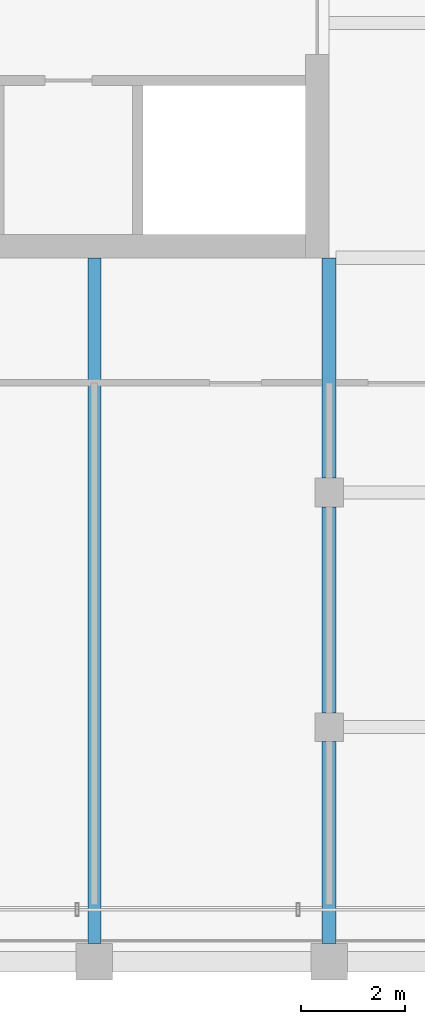
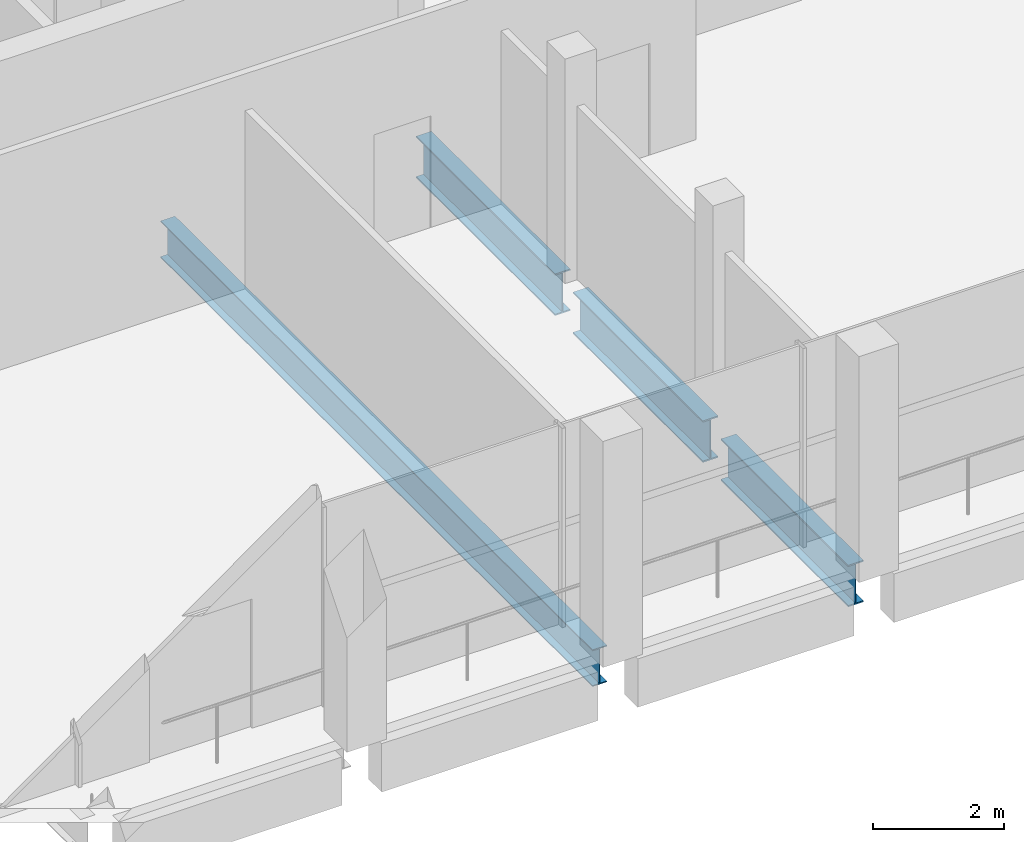
# One storey, part 6 of 17: 4 beams.
"""IFC4 building model written with IfcOpenShell, lengths in metres."""

from ifc_helpers import new_model, si_unit, direction, frame, origin, origin_2d, place, context, subcontext, project, spatial, i_section, extrude, material, material_profile, profile_set, type_object, element, save


model = new_model("IFC4")

# Units and contexts
model_context = context("Model", 3, precision=1e-05, world=origin(), true_north=direction((0.0, 1.0)))
body_context = subcontext(model_context, "Body", "Model", "MODEL_VIEW")
ifc_project = project(units=[si_unit("LENGTHUNIT", "METRE"), si_unit("AREAUNIT", "SQUARE_METRE"), si_unit("VOLUMEUNIT", "CUBIC_METRE"), si_unit("PLANEANGLEUNIT", "RADIAN"), si_unit("MASSUNIT", "GRAM", prefix="KILO")], contexts=[model_context])

# Site, building, storey
site_placement = place(None, origin())
site = spatial("IfcSite", under=ifc_project, at=site_placement, CompositionType="ELEMENT")
building_placement = place(site_placement, origin())
building = spatial("IfcBuilding", under=site, at=building_placement, Name="Altepetl Exchange Towers", CompositionType="ELEMENT")
storey_placement = place(building_placement, frame((0.0, 0.0, 255.199951171875)))
storey = spatial("IfcBuildingStorey", under=building, at=storey_placement, Name="L65", CompositionType="ELEMENT", Elevation=255.199951171875)

# Beams
ifc_material = material(Name="Steel S355", Category="steel")
ifc_material_profile_1 = material_profile(ifc_material, i_section(OverallWidth=0.25390625, OverallDepth=0.68408203125, WebThickness=0.012451171875, FlangeThickness=0.018798828125, at=origin_2d()), Name="W27X94")
ifc_profile_set_1 = profile_set([ifc_material_profile_1], Name="Steel S355")
beam_type_1 = type_object("IfcBeamType", Name="Floor beam W27X94", PredefinedType="BEAM", material=ifc_profile_set_1)
beam_1_placement = place(storey_placement, frame((54.0, 27.35009765625, -0.516845703125), z_axis=(0.0, 1.0, 0.0), x_axis=(-1.0, 0.0, 0.0)))
element("IfcBeam", 1, at=beam_1_placement, inside=storey, type_object=beam_type_1, Name="bm:A:L65:017", PredefinedType="BEAM", context=body_context, shape_type="SweptSolid", body=[
    extrude(i_section(OverallWidth=0.25390625, OverallDepth=0.68408203125, WebThickness=0.012451171875, FlangeThickness=0.018798828125, at=origin_2d()), origin(), (0.0, 0.0, 1.0), 13.14990234375),
])
ifc_material_profile_2 = material_profile(ifc_material, i_section(OverallWidth=0.26806640625, OverallDepth=0.77392578125, WebThickness=0.015380859375, FlangeThickness=0.025390625, at=origin_2d()), Name="W30X132")
ifc_profile_set_2 = profile_set([ifc_material_profile_2], Name="Steel S355")
beam_type_2 = type_object("IfcBeamType", Name="Girder W30X132", PredefinedType="BEAM", material=ifc_profile_set_2)
beam_2_placement = place(storey_placement, frame((58.5, 40.5, -0.56201171875), z_axis=(0.0, -1.0, 0.0), x_axis=(1.0, 0.0, 0.0)))
element("IfcBeam", 2, at=beam_2_placement, inside=storey, type_object=beam_type_2, Name="gd:A:L65:003", PredefinedType="BEAM", context=body_context, shape_type="SweptSolid", body=[
    extrude(i_section(OverallWidth=0.26806640625, OverallDepth=0.77392578125, WebThickness=0.015380859375, FlangeThickness=0.025390625, at=origin_2d()), origin(), (0.0, 0.0, 1.0), 4.22509765625),
])
beam_3_placement = place(storey_placement, frame((58.5, 35.72509765625, -0.56201171875), z_axis=(0.0, -1.0, 0.0), x_axis=(1.0, 0.0, 0.0)))
element("IfcBeam", 3, at=beam_3_placement, inside=storey, type_object=beam_type_2, Name="gd:A:L65:004", PredefinedType="BEAM", context=body_context, shape_type="SweptSolid", body=[
    extrude(i_section(OverallWidth=0.26806640625, OverallDepth=0.77392578125, WebThickness=0.015380859375, FlangeThickness=0.025390625, at=origin_2d()), origin(), (0.0, 0.0, 1.0), 3.9501953125),
])
beam_4_placement = place(storey_placement, frame((58.5, 31.22509765625, -0.56201171875), z_axis=(0.0, -1.0, 0.0), x_axis=(1.0, 0.0, 0.0)))
element("IfcBeam", 4, at=beam_4_placement, inside=storey, type_object=beam_type_2, Name="gd:A:L65:005", PredefinedType="BEAM", context=body_context, shape_type="SweptSolid", body=[
    extrude(i_section(OverallWidth=0.26806640625, OverallDepth=0.77392578125, WebThickness=0.015380859375, FlangeThickness=0.025390625, at=origin_2d()), origin(), (0.0, 0.0, 1.0), 3.875),
])

save(model, "model.ifc")
